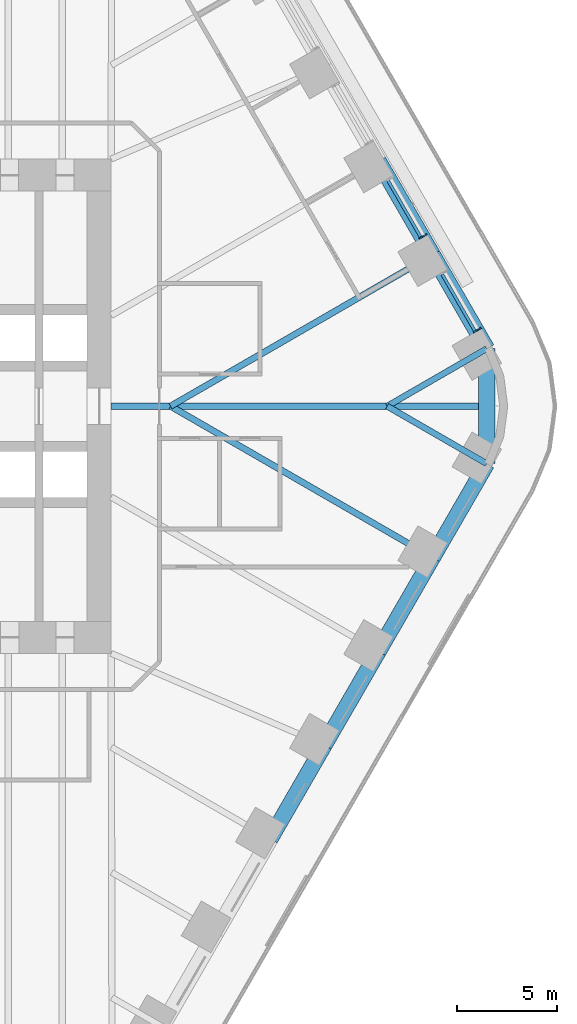
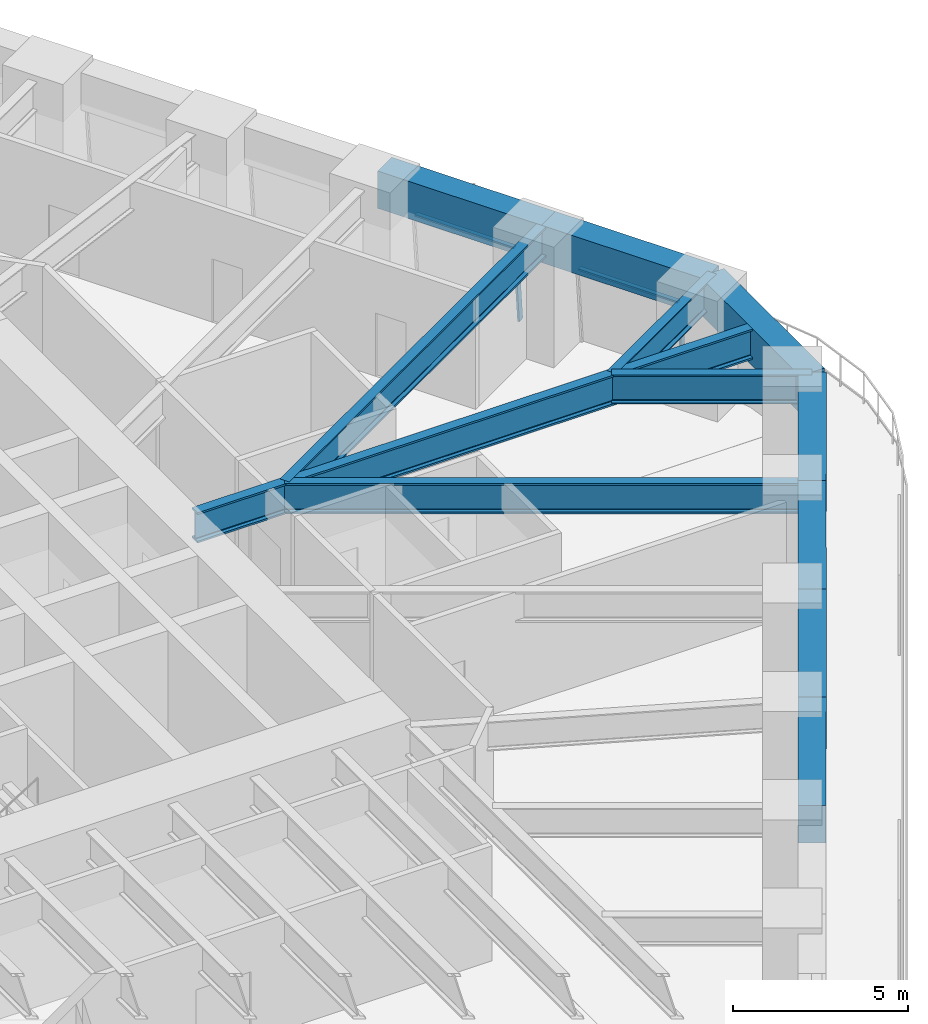
# One storey, part 12 of 24: 12 beams, 4 members, 2 elements without a shape of their own.
"""IFC4 building model written with IfcOpenShell, lengths in metres."""

from ifc_helpers import new_model, si_unit, direction, frame, origin, origin_2d, place, context, subcontext, project, spatial, rectangle, i_section, extrude, material, material_profile, profile_set, type_object, element, aggregate, save


model = new_model("IFC4")

# Units and contexts
model_context = context("Model", 3, precision=1e-05, world=origin(), true_north=direction((0.0, 1.0)))
body_context = subcontext(model_context, "Body", "Model", "MODEL_VIEW")
ifc_project = project(units=[si_unit("LENGTHUNIT", "METRE"), si_unit("AREAUNIT", "SQUARE_METRE"), si_unit("VOLUMEUNIT", "CUBIC_METRE"), si_unit("PLANEANGLEUNIT", "RADIAN"), si_unit("MASSUNIT", "GRAM", prefix="KILO")], contexts=[model_context])

# Site, building, storey
site_placement = place(None, origin())
site = spatial("IfcSite", under=ifc_project, at=site_placement, CompositionType="ELEMENT")
building_placement = place(site_placement, origin())
building = spatial("IfcBuilding", under=site, at=building_placement, Name="Tarfa Lantern Tower", CompositionType="ELEMENT")
storey_placement = place(building_placement, frame((0.0, 0.0, 73.89990234375)))
storey = spatial("IfcBuildingStorey", under=building, at=storey_placement, Name="L16", CompositionType="ELEMENT", Elevation=73.89990234375)

# Curtain wall, member
ifc_material_1 = material(Name="Aluminium framed curtain wall", Category="aluminium")
curtain_wall_type = type_object("IfcCurtainWallType", Name="CW1 CANTED GLAZING LOW ZONE 2700", PredefinedType="USERDEFINED", material=ifc_material_1)
curtain_wall_1_placement = place(storey_placement, origin())
curtain_wall_1 = element("IfcCurtainWall", 1, at=curtain_wall_1_placement, inside=storey, type_object=curtain_wall_type, Name="CW1 NE L16", ObjectType="CURTAIN WALL", PredefinedType="USERDEFINED")
ifc_material_2 = material(Name="Aluminium mullion", Category="aluminium")
ifc_material_profile_1 = material_profile(ifc_material_2, rectangle(XDim=0.06494140625, YDim=0.199951171875, at=origin_2d()), Name="AL MULLION 65x200")
ifc_profile_set_1 = profile_set([ifc_material_profile_1], Name="Aluminium mullion")
member_type_1 = type_object("IfcMemberType", Name="CWM1 MULLION 65x200", PredefinedType="MULLION", material=ifc_profile_set_1)
member_1_placement = place(storey_placement, frame((36.9248046875, 3.84423828125, 0.0), z_axis=(-0.079767804165, -0.046096067418, 0.995747081335), x_axis=(0.500342721131, -0.865827443207, 0.0)))
member_1 = element("IfcMember", 2, at=member_1_placement, type_object=member_type_1, Name="CW1 mullion 1", PredefinedType="MULLION", context=body_context, shape_type="SweptSolid", body=[
    extrude(rectangle(XDim=0.06494140625, YDim=0.199951171875, at=origin_2d()), origin(), (0.0, 0.0, 1.0), 2.711669921875),
])

curtain_wall_2_placement = place(storey_placement, origin())
curtain_wall_2 = element("IfcCurtainWall", 3, at=curtain_wall_2_placement, inside=storey, type_object=curtain_wall_type, Name="CW1 NE L16", ObjectType="CURTAIN WALL", PredefinedType="USERDEFINED")
member_2_placement = place(storey_placement, frame((34.230712890625, 8.5107421875, 0.0), z_axis=(-0.079857261722, -0.046095736191, 0.995739926314), x_axis=(0.499919672301, -0.866071776036, 0.0)))
member_2 = element("IfcMember", 4, at=member_2_placement, type_object=member_type_1, Name="CW1 mullion 1", PredefinedType="MULLION", context=body_context, shape_type="SweptSolid", body=[
    extrude(rectangle(XDim=0.06494140625, YDim=0.199951171875, at=origin_2d()), origin(), (0.0, 0.0, 1.0), 2.711669921875),
])

# Member
ifc_material_3 = material(Name="Aluminium transom", Category="aluminium")
ifc_material_profile_2 = material_profile(ifc_material_3, rectangle(XDim=0.14990234375, YDim=0.06494140625, at=origin_2d()), Name="AL TRANSOM 150x65")
ifc_profile_set_2 = profile_set([ifc_material_profile_2], Name="Aluminium transom")
member_type_2 = type_object("IfcMemberType", Name="CWT1 TRANSOM 150x65", PredefinedType="USERDEFINED", material=ifc_profile_set_2)
member_3_placement = place(storey_placement, frame((36.69482421875, 3.748779296875, 2.66748046875), z_axis=(-0.500022939057, 0.866012159509, 0.0), x_axis=(-0.866012159509, -0.500022939057, 0.0)))
member_3 = element("IfcMember", 5, at=member_3_placement, type_object=member_type_2, Name="CW1 transom 1.2", ObjectType="TRANSOM", PredefinedType="USERDEFINED", context=body_context, shape_type="SweptSolid", body=[
    extrude(rectangle(XDim=0.14990234375, YDim=0.06494140625, at=origin_2d()), origin(), (0.0, 0.0, 1.0), 3.258544921875),
])

aggregate(curtain_wall_1, [member_1, member_3])

member_4_placement = place(storey_placement, frame((34.00048828125, 8.41552734375, 2.66748046875), z_axis=(-0.500022939057, 0.866012159509, 0.0), x_axis=(-0.866012159509, -0.500022939057, 0.0)))
member_4 = element("IfcMember", 6, at=member_4_placement, type_object=member_type_2, Name="CW1 transom 1.2", ObjectType="TRANSOM", PredefinedType="USERDEFINED", context=body_context, shape_type="SweptSolid", body=[
    extrude(rectangle(XDim=0.14990234375, YDim=0.06494140625, at=origin_2d()), origin(), (0.0, 0.0, 1.0), 3.258544921875),
])

aggregate(curtain_wall_2, [member_2, member_4])

# Beams
ifc_material_4 = material(Name="Concrete C80/95", Category="concrete")
ifc_material_profile_3 = material_profile(ifc_material_4, rectangle(XDim=0.800048828125, YDim=1.300048828125, at=origin_2d()), Name="RC 800x1300")
ifc_profile_set_3 = profile_set([ifc_material_profile_3], Name="Concrete C80/95")
beam_type_1 = type_object("IfcBeamType", Name="EB1 RC 800x1300", PredefinedType="SPANDREL", material=ifc_profile_set_3)
beam_1_placement = place(storey_placement, frame((37.285400390625, 2.860107421875, 3.35009765625), z_axis=(-0.500017906299, 0.866015065331, 0.0), x_axis=(-0.866015065331, -0.500017906299, 0.0)))
element("IfcBeam", 7, at=beam_1_placement, inside=storey, type_object=beam_type_1, Name="Edge beam NE0", PredefinedType="SPANDREL", context=body_context, shape_type="SweptSolid", body=[
    extrude(rectangle(XDim=0.800048828125, YDim=1.300048828125, at=origin_2d()), origin(), (0.0, 0.0, 1.0), 5.388427734375),
])
beam_2_placement = place(storey_placement, frame((34.591064453125, 7.526611328125, 3.35009765625), z_axis=(-0.499998287579, 0.866026392449, 0.0), x_axis=(-0.866026392449, -0.499998287579, 0.0)))
element("IfcBeam", 8, at=beam_2_placement, inside=storey, type_object=beam_type_1, Name="Edge beam NE1", PredefinedType="SPANDREL", context=body_context, shape_type="SweptSolid", body=[
    extrude(rectangle(XDim=0.800048828125, YDim=1.300048828125, at=origin_2d()), origin(), (0.0, 0.0, 1.0), 5.388671875),
])
beam_3_placement = place(storey_placement, frame((26.508056640625, -21.526611328125, 3.35009765625), z_axis=(0.500017906299, 0.866015065331, 0.0), x_axis=(-0.866015065331, 0.500017906299, 0.0)))
element("IfcBeam", 9, at=beam_3_placement, inside=storey, type_object=beam_type_1, Name="Edge beam SE2", PredefinedType="SPANDREL", context=body_context, shape_type="SweptSolid", body=[
    extrude(rectangle(XDim=0.800048828125, YDim=1.300048828125, at=origin_2d()), origin(), (0.0, 0.0, 1.0), 5.388427734375),
])
for number, where, z_axis, x_axis, name in (
    (10, (29.202392578125, -16.860107421875, 3.35009765625), (0.499998287579, 0.866026392449, 0.0), (-0.866026392449, 0.499998287579, 0.0), "Edge beam SE3"),
    (11, (31.896728515625, -12.193359375, 3.35009765625), (0.499998287579, 0.866026392449, 0.0), (-0.866026392449, 0.499998287579, 0.0), "Edge beam SE4"),
):
    element("IfcBeam", number, at=place(storey_placement, frame(where, z_axis=z_axis, x_axis=x_axis)), inside=storey, type_object=beam_type_1, Name=name, PredefinedType="SPANDREL", context=body_context, shape_type="SweptSolid", body=[
        extrude(rectangle(XDim=0.800048828125, YDim=1.300048828125, at=origin_2d()), origin(), (0.0, 0.0, 1.0), 5.388671875),
    ])
beam_4_placement = place(storey_placement, frame((34.591064453125, -7.526611328125, 3.35009765625), z_axis=(0.500017906299, 0.866015065331, 0.0), x_axis=(-0.866015065331, 0.500017906299, 0.0)))
element("IfcBeam", 12, at=beam_4_placement, inside=storey, type_object=beam_type_1, Name="Edge beam SE5", PredefinedType="SPANDREL", context=body_context, shape_type="SweptSolid", body=[
    extrude(rectangle(XDim=0.800048828125, YDim=1.300048828125, at=origin_2d()), origin(), (0.0, 0.0, 1.0), 5.388427734375),
])
beam_5_placement = place(storey_placement, frame((37.285400390625, -2.860107421875, 3.35009765625), z_axis=(0.0, 1.0, 0.0), x_axis=(-1.0, 0.0, 0.0)))
element("IfcBeam", 13, at=beam_5_placement, inside=storey, type_object=beam_type_1, Name="Edge beam SE6", PredefinedType="SPANDREL", context=body_context, shape_type="SweptSolid", body=[
    extrude(rectangle(XDim=0.800048828125, YDim=1.300048828125, at=origin_2d()), origin(), (0.0, 0.0, 1.0), 5.72021484375),
])
ifc_material_5 = material(Name="Steel S460M", Category="steel")
ifc_material_profile_4 = material_profile(ifc_material_5, i_section(OverallWidth=0.302001953125, OverallDepth=1.008056640625, WebThickness=0.02099609375, FlangeThickness=0.0400390625, FilletRadius=0.030029296875, at=origin_2d()), Name="UB1016x305x349")
ifc_profile_set_4 = profile_set([ifc_material_profile_4], Name="Steel S460M")
beam_type_2 = type_object("IfcBeamType", Name="UB1016x305x349", PredefinedType="BEAM", material=ifc_profile_set_4)
for number, where, z_axis, x_axis, name in (
    (14, (37.285400390625, 2.860107421875, 3.49609375), (-0.866025668288, -0.499999541866, 0.0), (0.499999541866, -0.866025668288, 0.0), "Floor beam NE0"),
    (15, (37.285400390625, -2.860107421875, 3.49609375), (-0.866025668288, 0.499999541866, 0.0), (-0.499999541866, -0.866025668288, 0.0), "Floor beam SE6"),
):
    element("IfcBeam", number, at=place(storey_placement, frame(where, z_axis=z_axis, x_axis=x_axis)), inside=storey, type_object=beam_type_2, Name=name, PredefinedType="BEAM", context=body_context, shape_type="SweptSolid", body=[
        extrude(i_section(OverallWidth=0.302001953125, OverallDepth=1.008056640625, WebThickness=0.02099609375, FlangeThickness=0.0400390625, FilletRadius=0.030029296875, at=origin_2d()), origin(), (0.0, 0.0, 1.0), 5.72021484375),
    ])
ifc_material_profile_5 = material_profile(ifc_material_5, i_section(OverallWidth=0.314208984375, OverallDepth=1.055908203125, WebThickness=0.035888671875, FlangeThickness=0.06396484375, FilletRadius=0.030029296875, at=origin_2d()), Name="UB1016x305x584")
ifc_profile_set_5 = profile_set([ifc_material_profile_5], Name="Steel S460M")
beam_type_3 = type_object("IfcBeamType", Name="UB1016x305x584", PredefinedType="BEAM", material=ifc_profile_set_5)
beam_6_placement = place(storey_placement, frame((18.60009765625, 0.0, 3.47216796875), z_axis=(1.0, 0.0, 0.0), x_axis=(0.0, 1.0, 0.0)))
element("IfcBeam", 16, at=beam_6_placement, inside=storey, type_object=beam_type_3, Name="Hip girder E", PredefinedType="BEAM", context=body_context, shape_type="SweptSolid", body=[
    extrude(i_section(OverallWidth=0.314208984375, OverallDepth=1.055908203125, WebThickness=0.035888671875, FlangeThickness=0.06396484375, FilletRadius=0.030029296875, at=origin_2d()), origin(), (0.0, 0.0, 1.0), 18.685302734375),
])
for number, where, z_axis, x_axis, name in (
    (17, (34.591064453125, 7.526611328125, 3.47216796875), (-0.86602785945, -0.499995746638, 0.0), (0.499995746638, -0.86602785945, 0.0), "Floor beam NE1"),
    (18, (34.591064453125, -7.526611328125, 3.47216796875), (-0.86602785945, 0.499995746638, 0.0), (-0.499995746638, -0.86602785945, 0.0), "Floor beam SE5"),
):
    element("IfcBeam", number, at=place(storey_placement, frame(where, z_axis=z_axis, x_axis=x_axis)), inside=storey, type_object=beam_type_3, Name=name, PredefinedType="BEAM", context=body_context, shape_type="SweptSolid", body=[
        extrude(i_section(OverallWidth=0.314208984375, OverallDepth=1.055908203125, WebThickness=0.035888671875, FlangeThickness=0.06396484375, FilletRadius=0.030029296875, at=origin_2d()), origin(), (0.0, 0.0, 1.0), 15.053466796875),
    ])

save(model, "model.ifc")
